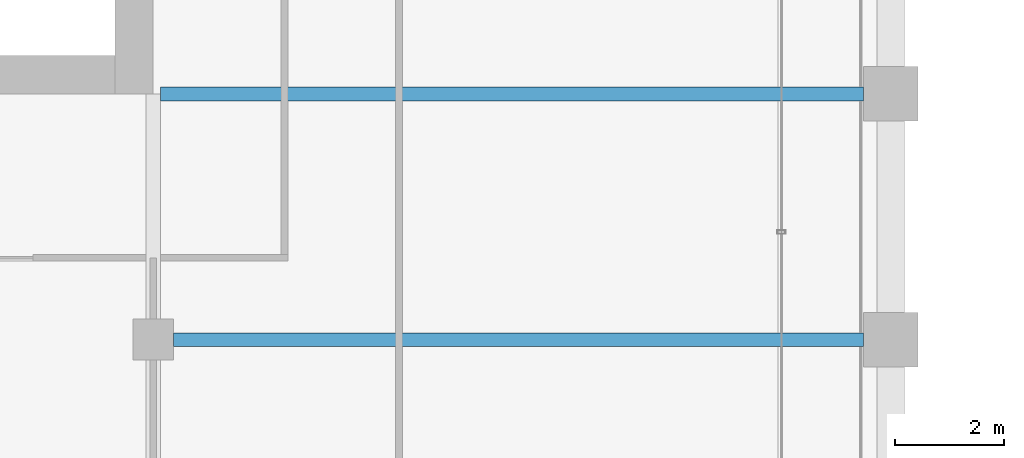
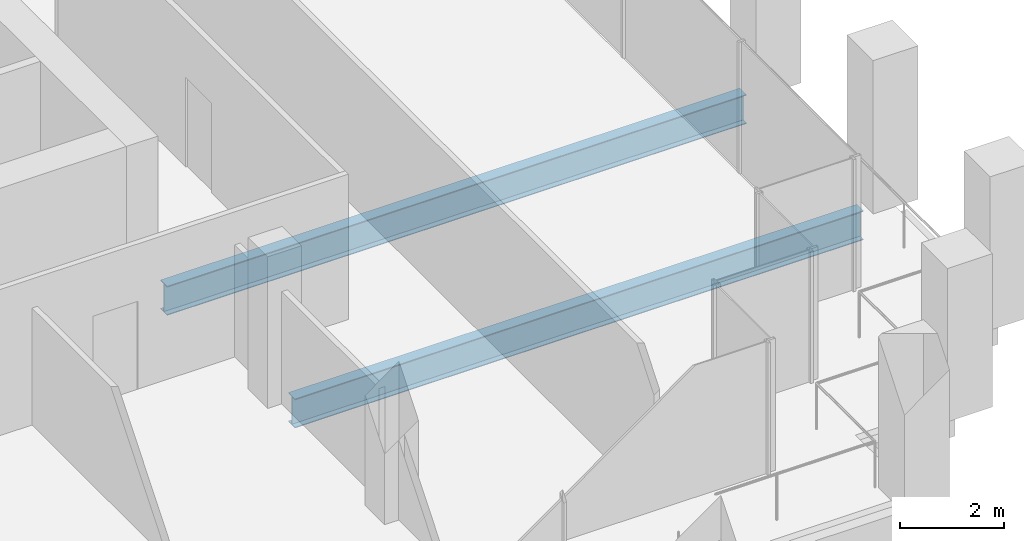
# One storey, part 14 of 46: 2 beams.
"""IFC4 building model written with IfcOpenShell, lengths in metres."""

import ifcopenshell
import ifcopenshell.guid

model = None  # the IFC model being written
_history = None  # IfcOwnerHistory: only IFC2X3 demands one
_inside = {}  # id of a spatial element -> (the spatial element, [elements in it])
_under = {}  # id of a project, library or spatial element -> (it, [spatial elements below it])
_declared = {}  # id of a project -> (the project, [libraries it declares])
_typed = {}  # id of a type object -> (the type object, [elements of that type])
_made_of = {}  # id of a material, layer set ... -> (it, [elements and type objects made of it])


def new_model(schema):
    """Start an empty IFC model of exactly this schema.

    Asked for "IFC4X3", IfcOpenShell would pick the latest addendum, in which some entities
    have other attributes; the version numbers below select the first issue.
    IFC2X3 requires an IfcOwnerHistory on every rooted entity: one is made here for all.
    """
    global model, _history
    if schema == "IFC4X3":
        model = ifcopenshell.file(schema_version=(4, 3, 0, 0))
    else:
        model = ifcopenshell.file(schema=schema)
    _inside.clear()
    _under.clear()
    _declared.clear()
    _typed.clear()
    _made_of.clear()
    _history = None
    if model.schema == "IFC2X3":
        org = make("IfcOrganization", Name="unknown")
        user = make(
            "IfcPersonAndOrganization",
            ThePerson=make("IfcPerson", FamilyName="unknown"),
            TheOrganization=org,
        )
        app = make(
            "IfcApplication",
            ApplicationDeveloper=org,
            Version="unknown",
            ApplicationFullName="unknown",
            ApplicationIdentifier="unknown",
        )
        _history = make(
            "IfcOwnerHistory",
            OwningUser=user,
            OwningApplication=app,
            ChangeAction="ADDED",
            CreationDate=0,
        )
    return model


def make(cls, **values):
    """One entity of the class cls with the attributes given. An attribute that is None is left unset."""
    return model.create_entity(
        cls, **{name: value for name, value in values.items() if value is not None}
    )


def rooted(cls, **values):
    """An entity with a GlobalId (a new one), such as an element, a storey or a relation."""
    return make(cls, GlobalId=ifcopenshell.guid.new(), OwnerHistory=_history, **values)


def si_unit(unit_type, name, prefix=None):
    """IfcSIUnit, for example si_unit("LENGTHUNIT", "METRE", prefix="MILLI")."""
    return make("IfcSIUnit", UnitType=unit_type, Prefix=prefix, Name=name)


def assignment(units):
    """IfcUnitAssignment: the units of a project."""
    return None if units is None else make("IfcUnitAssignment", Units=units)


def point(xyz):
    """IfcCartesianPoint."""
    return None if xyz is None else make("IfcCartesianPoint", Coordinates=xyz)


def direction(xyz):
    """IfcDirection."""
    return None if xyz is None else make("IfcDirection", DirectionRatios=xyz)


def frame(location, z_axis=None, x_axis=None):
    """IfcAxis2Placement3D, a coordinate frame: its origin and axes. An axis left out is left unset."""
    return make(
        "IfcAxis2Placement3D",
        Location=point(location),
        Axis=direction(z_axis),
        RefDirection=direction(x_axis),
    )


def frame_2d(location, x_axis=None):
    """IfcAxis2Placement2D, a coordinate frame in the plane: its origin and x axis."""
    return make(
        "IfcAxis2Placement2D", Location=point(location), RefDirection=direction(x_axis)
    )


def origin():
    """The frame at (0, 0, 0) with its axes left unset."""
    return frame((0.0, 0.0, 0.0))


def origin_2d():
    """The frame at (0, 0) in the plane with its x axis left unset."""
    return frame_2d((0.0, 0.0))


def place(relative_to, where):
    """IfcLocalPlacement: puts the frame where relative to a parent placement (None: the world)."""
    return make(
        "IfcLocalPlacement", PlacementRelTo=relative_to, RelativePlacement=where
    )


def context(
    kind, dimensions, precision=None, world=None, true_north=None, identifier=None
):
    """IfcGeometricRepresentationContext, for example the 3D "Model" context."""
    return make(
        "IfcGeometricRepresentationContext",
        ContextIdentifier=identifier,
        ContextType=kind,
        CoordinateSpaceDimension=dimensions,
        Precision=precision,
        WorldCoordinateSystem=world,
        TrueNorth=true_north,
    )


def subcontext(parent, identifier, kind, view, scale=None):
    """IfcGeometricRepresentationSubContext, for example "Body" below "Model"."""
    return make(
        "IfcGeometricRepresentationSubContext",
        ContextIdentifier=identifier,
        ContextType=kind,
        ParentContext=parent,
        TargetScale=scale,
        TargetView=view,
    )


def project(units=None, contexts=None):
    """IfcProject with its units and contexts."""
    return rooted(
        "IfcProject",
        Name="project",
        RepresentationContexts=contexts,
        UnitsInContext=assignment(units),
    )


def spatial(cls, under=None, at=None, **own):
    """A site, building, storey or space (cls), placed at a placement, below another one or the project."""
    s = rooted(cls, ObjectPlacement=at, **own)
    if under is not None:
        _under.setdefault(under.id(), (under, []))[1].append(s)
    return s


def profile(cls, at=None, kind="AREA", **sizes):
    """A parametric profile (cls). Its sizes go by their IFC names, for example OverallWidth=200.0."""
    return make(cls, ProfileType=kind, Position=at, **sizes)


def i_section(**sizes):
    """IfcIShapeProfileDef."""
    return profile("IfcIShapeProfileDef", **sizes)


def extrude(swept, where, along, depth):
    """IfcExtrudedAreaSolid: the profile swept, set in the frame where, extruded along a direction by depth."""
    return make(
        "IfcExtrudedAreaSolid",
        SweptArea=swept,
        Position=where,
        ExtrudedDirection=direction(along),
        Depth=depth,
    )


def shape(context_of_items, identifier, shape_type, items):
    """IfcShapeRepresentation: the items that make up one representation, for example the "Body"."""
    return make(
        "IfcShapeRepresentation",
        ContextOfItems=context_of_items,
        RepresentationIdentifier=identifier,
        RepresentationType=shape_type,
        Items=items,
    )


def material(Name=None, Category=None):
    """IfcMaterial."""
    return make("IfcMaterial", Name=Name, Category=Category)


def material_profile(
    of_material, cross_section, Name=None, Category=None, Priority=None
):
    """IfcMaterialProfile: a cross section and its material."""
    return make(
        "IfcMaterialProfile",
        Name=Name,
        Material=of_material,
        Profile=cross_section,
        Priority=Priority,
        Category=Category,
    )


def profile_set(profiles, Name=None, composite=None):
    """IfcMaterialProfileSet."""
    return make(
        "IfcMaterialProfileSet",
        Name=Name,
        MaterialProfiles=profiles,
        CompositeProfile=composite,
    )


def made_of(thing, what):
    """Note that an element or type object is made of a material, layer set ...; save() writes the relation."""
    if what is not None:
        _made_of.setdefault(what.id(), (what, []))[1].append(thing)
    return thing


def type_object(cls, material=None, **own):
    """A type object (cls), such as IfcWallType, which elements share."""
    return made_of(rooted(cls, **own), material)


def element(
    cls,
    number,
    at=None,
    inside=None,
    cuts=None,
    type_object=None,
    material=None,
    context=None,
    identifier="Body",
    shape_type=None,
    held_by="IfcProductDefinitionShape",
    body=None,
    shapes=None,
    **own,
):
    """One element of the class cls, such as IfcWall. Its Tag is "e" and its number.

    at: its placement. inside: the storey or other place that contains it. cuts: it is an
    opening in that element (IfcRelVoidsElement). A single representation is given by context,
    identifier, shape_type and body (its items); several are given by shapes. held_by: the class
    of the entity that holds the representations. save() writes the other relations.
    """
    e = rooted(cls, Tag="e%d" % number, ObjectPlacement=at, **own)
    if body is not None:
        shapes = [shape(context, identifier, shape_type, body)]
    if shapes is not None:
        e.Representation = make(held_by, Representations=shapes)
    if inside is not None:
        _inside.setdefault(inside.id(), (inside, []))[1].append(e)
    if cuts is not None:
        rooted(
            "IfcRelVoidsElement", RelatingBuildingElement=cuts, RelatedOpeningElement=e
        )
    if type_object is not None:
        _typed.setdefault(type_object.id(), (type_object, []))[1].append(e)
    return made_of(e, material)


def aggregate(whole, parts):
    """IfcRelAggregates: a whole, such as a stair, and the parts it consists of."""
    return rooted("IfcRelAggregates", RelatingObject=whole, RelatedObjects=parts)


def save(model, path):
    """Write the relations noted so far, then the file.

    IfcRelAggregates (storeys below a building ...), IfcRelContainedInSpatialStructure (elements
    in a storey), IfcRelDefinesByType, IfcRelAssociatesMaterial and IfcRelDeclares: one each for
    every whole, place, type object, material and project.
    """
    for whole, parts in _under.values():
        aggregate(whole, parts)
    for where, things in _inside.values():
        rooted(
            "IfcRelContainedInSpatialStructure",
            RelatedElements=things,
            RelatingStructure=where,
        )
    for kind, things in _typed.values():
        rooted("IfcRelDefinesByType", RelatedObjects=things, RelatingType=kind)
    for what, things in _made_of.values():
        rooted("IfcRelAssociatesMaterial", RelatedObjects=things, RelatingMaterial=what)
    for by, libraries in _declared.values():
        rooted("IfcRelDeclares", RelatingContext=by, RelatedDefinitions=libraries)
    model.write(path)


model = new_model("IFC4")

# Units and contexts
model_context = context("Model", 3, precision=1e-05, world=origin(), true_north=direction((0.0, 1.0)))
body_context = subcontext(model_context, "Body", "Model", "MODEL_VIEW")
ifc_project = project(units=[si_unit("LENGTHUNIT", "METRE"), si_unit("AREAUNIT", "SQUARE_METRE"), si_unit("VOLUMEUNIT", "CUBIC_METRE"), si_unit("PLANEANGLEUNIT", "RADIAN"), si_unit("MASSUNIT", "GRAM", prefix="KILO")], contexts=[model_context])

# Site, building, storey
site_placement = place(None, origin())
site = spatial("IfcSite", under=ifc_project, at=site_placement, CompositionType="ELEMENT")
building_placement = place(site_placement, origin())
building = spatial("IfcBuilding", under=site, at=building_placement, Name="Altepetl Exchange Towers", CompositionType="ELEMENT")
storey_placement = place(building_placement, frame((0.0, 0.0, 106.39990234375)))
storey = spatial("IfcBuildingStorey", under=building, at=storey_placement, Name="L26", CompositionType="ELEMENT", Elevation=106.39990234375)

# Beams
ifc_material = material(Name="Steel S355", Category="steel")
ifc_material_profile = material_profile(ifc_material, i_section(OverallWidth=0.25390625, OverallDepth=0.68408203125, WebThickness=0.012451171875, FlangeThickness=0.018798828125, at=origin_2d()), Name="W27X94")
ifc_profile_set = profile_set([ifc_material_profile], Name="Steel S355")
beam_type = type_object("IfcBeamType", Name="Floor beam W27X94", PredefinedType="BEAM", material=ifc_profile_set)
beam_1_placement = place(storey_placement, frame((58.875, 36.0, -0.491943359375), z_axis=(1.0, 0.0, 0.0), x_axis=(0.0, 1.0, 0.0)))
element("IfcBeam", 1, at=beam_1_placement, inside=storey, type_object=beam_type, Name="bm:A:L26:007", PredefinedType="BEAM", context=body_context, shape_type="SweptSolid", body=[
    extrude(i_section(OverallWidth=0.25390625, OverallDepth=0.68408203125, WebThickness=0.012451171875, FlangeThickness=0.018798828125, at=origin_2d()), origin(), (0.0, 0.0, 1.0), 12.625),
])
beam_2_placement = place(storey_placement, frame((58.634033203125, 40.5, -0.491943359375), z_axis=(1.0, 0.0, 0.0), x_axis=(0.0, 1.0, 0.0)))
element("IfcBeam", 2, at=beam_2_placement, inside=storey, type_object=beam_type, Name="bm:A:L26:008", PredefinedType="BEAM", context=body_context, shape_type="SweptSolid", body=[
    extrude(i_section(OverallWidth=0.25390625, OverallDepth=0.68408203125, WebThickness=0.012451171875, FlangeThickness=0.018798828125, at=origin_2d()), origin(), (0.0, 0.0, 1.0), 12.865966796875),
])

save(model, "model.ifc")
